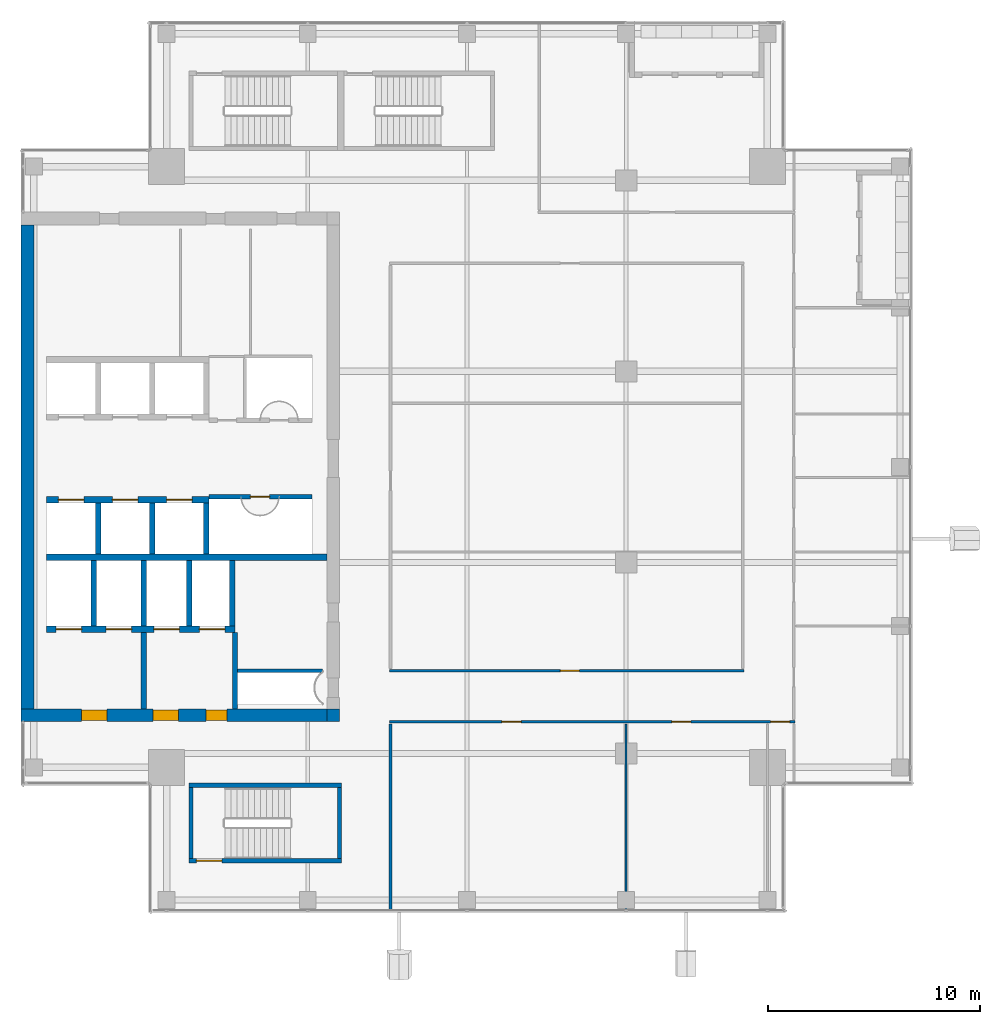
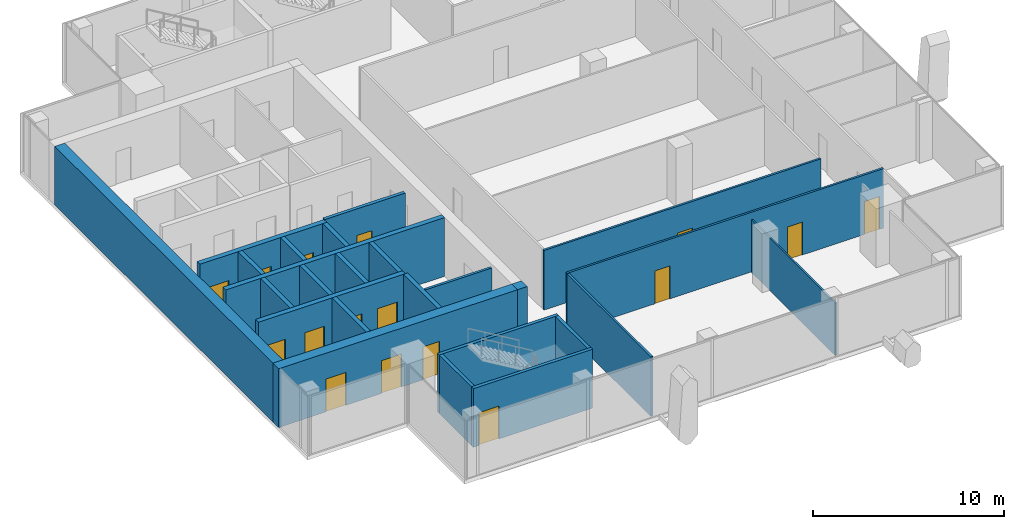
# One storey, part 23 of 28: 25 walls, 16 doors, 16 openings.
"""IFC4 building model written with IfcOpenShell, lengths in metres."""

import ifcopenshell
import ifcopenshell.guid

model = None  # the IFC model being written
_history = None  # IfcOwnerHistory: only IFC2X3 demands one
_inside = {}  # id of a spatial element -> (the spatial element, [elements in it])
_under = {}  # id of a project, library or spatial element -> (it, [spatial elements below it])
_declared = {}  # id of a project -> (the project, [libraries it declares])
_typed = {}  # id of a type object -> (the type object, [elements of that type])
_made_of = {}  # id of a material, layer set ... -> (it, [elements and type objects made of it])


def new_model(schema):
    """Start an empty IFC model of exactly this schema.

    Asked for "IFC4X3", IfcOpenShell would pick the latest addendum, in which some entities
    have other attributes; the version numbers below select the first issue.
    IFC2X3 requires an IfcOwnerHistory on every rooted entity: one is made here for all.
    """
    global model, _history
    if schema == "IFC4X3":
        model = ifcopenshell.file(schema_version=(4, 3, 0, 0))
    else:
        model = ifcopenshell.file(schema=schema)
    _inside.clear()
    _under.clear()
    _declared.clear()
    _typed.clear()
    _made_of.clear()
    _history = None
    if model.schema == "IFC2X3":
        org = make("IfcOrganization", Name="unknown")
        user = make(
            "IfcPersonAndOrganization",
            ThePerson=make("IfcPerson", FamilyName="unknown"),
            TheOrganization=org,
        )
        app = make(
            "IfcApplication",
            ApplicationDeveloper=org,
            Version="unknown",
            ApplicationFullName="unknown",
            ApplicationIdentifier="unknown",
        )
        _history = make(
            "IfcOwnerHistory",
            OwningUser=user,
            OwningApplication=app,
            ChangeAction="ADDED",
            CreationDate=0,
        )
    return model


def make(cls, **values):
    """One entity of the class cls with the attributes given. An attribute that is None is left unset."""
    return model.create_entity(
        cls, **{name: value for name, value in values.items() if value is not None}
    )


def rooted(cls, **values):
    """An entity with a GlobalId (a new one), such as an element, a storey or a relation."""
    return make(cls, GlobalId=ifcopenshell.guid.new(), OwnerHistory=_history, **values)


def si_unit(unit_type, name, prefix=None):
    """IfcSIUnit, for example si_unit("LENGTHUNIT", "METRE", prefix="MILLI")."""
    return make("IfcSIUnit", UnitType=unit_type, Prefix=prefix, Name=name)


def assignment(units):
    """IfcUnitAssignment: the units of a project."""
    return None if units is None else make("IfcUnitAssignment", Units=units)


def point(xyz):
    """IfcCartesianPoint."""
    return None if xyz is None else make("IfcCartesianPoint", Coordinates=xyz)


def direction(xyz):
    """IfcDirection."""
    return None if xyz is None else make("IfcDirection", DirectionRatios=xyz)


def frame(location, z_axis=None, x_axis=None):
    """IfcAxis2Placement3D, a coordinate frame: its origin and axes. An axis left out is left unset."""
    return make(
        "IfcAxis2Placement3D",
        Location=point(location),
        Axis=direction(z_axis),
        RefDirection=direction(x_axis),
    )


def frame_2d(location, x_axis=None):
    """IfcAxis2Placement2D, a coordinate frame in the plane: its origin and x axis."""
    return make(
        "IfcAxis2Placement2D", Location=point(location), RefDirection=direction(x_axis)
    )


def origin():
    """The frame at (0, 0, 0) with its axes left unset."""
    return frame((0.0, 0.0, 0.0))


def place(relative_to, where):
    """IfcLocalPlacement: puts the frame where relative to a parent placement (None: the world)."""
    return make(
        "IfcLocalPlacement", PlacementRelTo=relative_to, RelativePlacement=where
    )


def context(
    kind, dimensions, precision=None, world=None, true_north=None, identifier=None
):
    """IfcGeometricRepresentationContext, for example the 3D "Model" context."""
    return make(
        "IfcGeometricRepresentationContext",
        ContextIdentifier=identifier,
        ContextType=kind,
        CoordinateSpaceDimension=dimensions,
        Precision=precision,
        WorldCoordinateSystem=world,
        TrueNorth=true_north,
    )


def subcontext(parent, identifier, kind, view, scale=None):
    """IfcGeometricRepresentationSubContext, for example "Body" below "Model"."""
    return make(
        "IfcGeometricRepresentationSubContext",
        ContextIdentifier=identifier,
        ContextType=kind,
        ParentContext=parent,
        TargetScale=scale,
        TargetView=view,
    )


def project(units=None, contexts=None):
    """IfcProject with its units and contexts."""
    return rooted(
        "IfcProject",
        Name="project",
        RepresentationContexts=contexts,
        UnitsInContext=assignment(units),
    )


def spatial(cls, under=None, at=None, **own):
    """A site, building, storey or space (cls), placed at a placement, below another one or the project."""
    s = rooted(cls, ObjectPlacement=at, **own)
    if under is not None:
        _under.setdefault(under.id(), (under, []))[1].append(s)
    return s


def profile(cls, at=None, kind="AREA", **sizes):
    """A parametric profile (cls). Its sizes go by their IFC names, for example OverallWidth=200.0."""
    return make(cls, ProfileType=kind, Position=at, **sizes)


def rectangle(**sizes):
    """IfcRectangleProfileDef."""
    return profile("IfcRectangleProfileDef", **sizes)


def extrude(swept, where, along, depth):
    """IfcExtrudedAreaSolid: the profile swept, set in the frame where, extruded along a direction by depth."""
    return make(
        "IfcExtrudedAreaSolid",
        SweptArea=swept,
        Position=where,
        ExtrudedDirection=direction(along),
        Depth=depth,
    )


def shape(context_of_items, identifier, shape_type, items):
    """IfcShapeRepresentation: the items that make up one representation, for example the "Body"."""
    return make(
        "IfcShapeRepresentation",
        ContextOfItems=context_of_items,
        RepresentationIdentifier=identifier,
        RepresentationType=shape_type,
        Items=items,
    )


def source(mapping_origin, context_of_items, identifier, shape_type, items):
    """IfcRepresentationMap: a shape defined once, which mapped items show again and again."""
    return make(
        "IfcRepresentationMap",
        MappingOrigin=mapping_origin,
        MappedRepresentation=shape(context_of_items, identifier, shape_type, items),
    )


def transform(
    local_origin,
    x_axis=None,
    y_axis=None,
    z_axis=None,
    scale=None,
    scale2=None,
    scale3=None,
    uniform=True,
):
    """IfcCartesianTransformationOperator3D, or its non-uniform kind. x_axis, y_axis, z_axis: its Axis1, 2, 3."""
    if uniform:
        return make(
            "IfcCartesianTransformationOperator3D",
            Axis1=direction(x_axis),
            Axis2=direction(y_axis),
            LocalOrigin=point(local_origin),
            Scale=scale,
            Axis3=direction(z_axis),
        )
    return make(
        "IfcCartesianTransformationOperator3DnonUniform",
        Axis1=direction(x_axis),
        Axis2=direction(y_axis),
        LocalOrigin=point(local_origin),
        Scale=scale,
        Axis3=direction(z_axis),
        Scale2=scale2,
        Scale3=scale3,
    )


def mapped(mapping_source, mapping_target):
    """IfcMappedItem: shows the shape of a source again, moved by a transform."""
    return make(
        "IfcMappedItem", MappingSource=mapping_source, MappingTarget=mapping_target
    )


def material(Name=None, Category=None):
    """IfcMaterial."""
    return make("IfcMaterial", Name=Name, Category=Category)


def layer(
    of_material, thickness, ventilated=None, Name=None, Category=None, Priority=None
):
    """IfcMaterialLayer: one layer of a wall or slab, of a material (None: an air gap)."""
    return make(
        "IfcMaterialLayer",
        Material=of_material,
        LayerThickness=thickness,
        IsVentilated=ventilated,
        Name=Name,
        Category=Category,
        Priority=Priority,
    )


def layer_set(layers, Name=None):
    """IfcMaterialLayerSet."""
    return make("IfcMaterialLayerSet", MaterialLayers=layers, LayerSetName=Name)


def made_of(thing, what):
    """Note that an element or type object is made of a material, layer set ...; save() writes the relation."""
    if what is not None:
        _made_of.setdefault(what.id(), (what, []))[1].append(thing)
    return thing


def type_object(cls, material=None, **own):
    """A type object (cls), such as IfcWallType, which elements share."""
    return made_of(rooted(cls, **own), material)


def element(
    cls,
    number,
    at=None,
    inside=None,
    cuts=None,
    type_object=None,
    material=None,
    context=None,
    identifier="Body",
    shape_type=None,
    held_by="IfcProductDefinitionShape",
    body=None,
    shapes=None,
    **own,
):
    """One element of the class cls, such as IfcWall. Its Tag is "e" and its number.

    at: its placement. inside: the storey or other place that contains it. cuts: it is an
    opening in that element (IfcRelVoidsElement). A single representation is given by context,
    identifier, shape_type and body (its items); several are given by shapes. held_by: the class
    of the entity that holds the representations. save() writes the other relations.
    """
    e = rooted(cls, Tag="e%d" % number, ObjectPlacement=at, **own)
    if body is not None:
        shapes = [shape(context, identifier, shape_type, body)]
    if shapes is not None:
        e.Representation = make(held_by, Representations=shapes)
    if inside is not None:
        _inside.setdefault(inside.id(), (inside, []))[1].append(e)
    if cuts is not None:
        rooted(
            "IfcRelVoidsElement", RelatingBuildingElement=cuts, RelatedOpeningElement=e
        )
    if type_object is not None:
        _typed.setdefault(type_object.id(), (type_object, []))[1].append(e)
    return made_of(e, material)


def fill(opening, filler):
    """IfcRelFillsElement: the door or window that sits in an opening."""
    return rooted(
        "IfcRelFillsElement",
        RelatingOpeningElement=opening,
        RelatedBuildingElement=filler,
    )


def aggregate(whole, parts):
    """IfcRelAggregates: a whole, such as a stair, and the parts it consists of."""
    return rooted("IfcRelAggregates", RelatingObject=whole, RelatedObjects=parts)


def save(model, path):
    """Write the relations noted so far, then the file.

    IfcRelAggregates (storeys below a building ...), IfcRelContainedInSpatialStructure (elements
    in a storey), IfcRelDefinesByType, IfcRelAssociatesMaterial and IfcRelDeclares: one each for
    every whole, place, type object, material and project.
    """
    for whole, parts in _under.values():
        aggregate(whole, parts)
    for where, things in _inside.values():
        rooted(
            "IfcRelContainedInSpatialStructure",
            RelatedElements=things,
            RelatingStructure=where,
        )
    for kind, things in _typed.values():
        rooted("IfcRelDefinesByType", RelatedObjects=things, RelatingType=kind)
    for what, things in _made_of.values():
        rooted("IfcRelAssociatesMaterial", RelatedObjects=things, RelatingMaterial=what)
    for by, libraries in _declared.values():
        rooted("IfcRelDeclares", RelatingContext=by, RelatedDefinitions=libraries)
    model.write(path)


model = new_model("IFC4")

# Units and contexts
model_context = context("Model", 3, precision=1e-05, world=origin(), true_north=direction((0.0, 1.0)))
body_context = subcontext(model_context, "Body", "Model", "MODEL_VIEW")
ifc_project = project(units=[si_unit("LENGTHUNIT", "METRE"), si_unit("AREAUNIT", "SQUARE_METRE"), si_unit("VOLUMEUNIT", "CUBIC_METRE"), si_unit("PLANEANGLEUNIT", "RADIAN"), si_unit("MASSUNIT", "GRAM", prefix="KILO")], contexts=[model_context])

# Site, building, storey
site_placement = place(None, origin())
site = spatial("IfcSite", under=ifc_project, at=site_placement, CompositionType="ELEMENT")
building_placement = place(site_placement, origin())
building = spatial("IfcBuilding", under=site, at=building_placement, Name="Khomas Fold Tower", CompositionType="ELEMENT")
storey_placement = place(building_placement, frame((0.0, 0.0, 298.199951171875)))
storey = spatial("IfcBuildingStorey", under=building, at=storey_placement, Name="L67", CompositionType="ELEMENT", Elevation=298.199951171875)

# Wall
ifc_material_1 = material(Name="Concrete C50/60", Category="concrete")
ifc_layer_1 = layer(ifc_material_1, 0.199951171875)
ifc_layer_set_1 = layer_set([ifc_layer_1], Name="Concrete C50/60")
wall_type_1 = type_object("IfcWallType", Name="Stair wall 200", PredefinedType="SHEAR", material=ifc_layer_set_1)
shared_shape_1 = source(origin(), body_context, "Body", "SweptSolid", [
    extrude(rectangle(XDim=7.2001953125, YDim=0.199951171875, at=frame_2d((3.60009765625, 0.0))), origin(), (0.0, 0.0, 1.0), 3.75),
])
wall_1_placement = place(storey_placement, frame((13.89990234375, 12.0, 0.0), z_axis=(0.0, 0.0, 1.0), x_axis=(1.0, 0.0, 0.0)))
element("IfcWall", 1, at=wall_1_placement, inside=storey, type_object=wall_type_1, Name="Stair wall SW-ST2-NH", PredefinedType="SHEAR", context=body_context, shape_type="MappedRepresentation", body=[
    mapped(shared_shape_1, transform((0.0, 0.0, 0.0))),
])

# Wall, opening, door
wall_2_placement = place(storey_placement, frame((13.89990234375, 8.449951171875, 0.0), z_axis=(0.0, 0.0, 1.0), x_axis=(1.0, 0.0, 0.0)))
wall_2 = element("IfcWall", 2, at=wall_2_placement, inside=storey, type_object=wall_type_1, Name="Stair wall SW-ST2-S", PredefinedType="SHEAR", context=body_context, shape_type="MappedRepresentation", body=[
    mapped(shared_shape_1, transform((0.0, 0.0, 0.0))),
])
shared_shape_2 = source(origin(), body_context, "Body", "SweptSolid", [
    extrude(rectangle(XDim=1.199951171875, YDim=2.10009765625, at=frame_2d((0.60009765625, 1.050048828125))), frame((0.0, 0.10986328125, 0.0), z_axis=(0.0, -1.0, 0.0), x_axis=(1.0, 0.0, 0.0)), (0.0, 0.0, 1.0), 0.219970703125),
])
opening_1_placement = place(wall_2_placement, frame((0.35009765625, 0.0, 0.0)))
opening_1 = element("IfcOpeningElement", 3, at=opening_1_placement, cuts=wall_2, Name="Opening SD-ST2", PredefinedType="OPENING", context=body_context, shape_type="MappedRepresentation", body=[
    mapped(shared_shape_2, transform((0.0, 0.0, 0.0))),
])
ifc_material_2 = material(Name="Steel door leaf", Category="steel")
door_type_1 = type_object("IfcDoorType", Name="Stair door 1200x2100 right-hand", OperationType="SINGLE_SWING_RIGHT", PredefinedType="DOOR", material=ifc_material_2)
shared_shape_3 = source(origin(), body_context, "Body", "SweptSolid", [
    extrude(rectangle(XDim=1.199951171875, YDim=2.10009765625, at=frame_2d((0.60009765625, 1.050048828125))), frame((0.0, 0.02490234375, 0.0), z_axis=(0.0, -1.0, 0.0), x_axis=(1.0, 0.0, 0.0)), (0.0, 0.0, 1.0), 0.050048828125),
])
door_1_placement = place(opening_1_placement, origin())
door_1 = element("IfcDoor", 4, at=door_1_placement, inside=storey, type_object=door_type_1, Name="Stair door", OperationType="SINGLE_SWING_RIGHT", OverallHeight=2.10009765625, OverallWidth=1.199951171875, PredefinedType="DOOR", context=body_context, shape_type="MappedRepresentation", body=[
    mapped(shared_shape_3, transform((0.0, 0.0, 0.0))),
])
fill(opening_1, door_1)

# Walls
shared_shape_4 = source(origin(), body_context, "Body", "SweptSolid", [
    extrude(rectangle(XDim=3.349853515625, YDim=0.199951171875, at=frame_2d((1.6748046875, 0.0))), origin(), (0.0, 0.0, 1.0), 3.75),
])
for number, where, z_axis, x_axis, name in (
    (5, (21.0, 8.550048828125, 0.0), (0.0, 0.0, 1.0), (0.0, 1.0, 0.0), "Stair wall SW-ST2-E"),
    (6, (14.0, 8.550048828125, 0.0), (0.0, 0.0, 1.0), (0.0, 1.0, 0.0), "Stair wall SW-ST2-W"),
):
    element("IfcWall", number, at=place(storey_placement, frame(where, z_axis=z_axis, x_axis=x_axis)), inside=storey, type_object=wall_type_1, Name=name, PredefinedType="SHEAR", context=body_context, shape_type="MappedRepresentation", body=[
        mapped(shared_shape_4, transform((0.0, 0.0, 0.0))),
    ])
ifc_material_3 = material(Name="Concrete C50/60", Category="concrete")
ifc_layer_2 = layer(ifc_material_3, 0.25)
ifc_layer_set_2 = layer_set([ifc_layer_2], Name="Concrete C50/60")
wall_type_2 = type_object("IfcWallType", Name="Shaft wall 250", PredefinedType="STANDARD", material=ifc_layer_set_2)
shared_shape_5 = source(origin(), body_context, "Body", "SweptSolid", [
    extrude(rectangle(XDim=3.10009765625, YDim=0.25, at=frame_2d((1.550048828125, 0.0))), origin(), (0.0, 0.0, 1.0), 3.75),
])
for number, where, z_axis, x_axis, name in (
    (7, (9.425048828125, 19.5, 0.0), (0.0, 0.0, 1.0), (0.0, 1.0, 0.0), "Core wall SW-FS-P1"),
    (8, (11.77490234375, 19.5, 0.0), (0.0, 0.0, 1.0), (0.0, 1.0, 0.0), "Core wall SW-FS-P2"),
    (9, (13.925048828125, 19.5, 0.0), (0.0, 0.0, 1.0), (0.0, 1.0, 0.0), "Core wall SW-FS-P3"),
    (10, (15.949951171875, 19.5, 0.0), (0.0, 0.0, 1.0), (0.0, 1.0, 0.0), "Core wall SW-FS-PE"),
):
    element("IfcWall", number, at=place(storey_placement, frame(where, z_axis=z_axis, x_axis=x_axis)), inside=storey, type_object=wall_type_2, Name=name, PredefinedType="STANDARD", context=body_context, shape_type="MappedRepresentation", body=[
        mapped(shared_shape_5, transform((0.0, 0.0, 0.0))),
    ])
shared_shape_6 = source(origin(), body_context, "Body", "SweptSolid", [
    extrude(rectangle(XDim=2.400146484375, YDim=0.25, at=frame_2d((1.2001953125, 0.0))), origin(), (0.0, 0.0, 1.0), 3.75),
])
for number, where, z_axis, x_axis, name in (
    (11, (9.625, 22.89990234375, 0.0), (0.0, 0.0, 1.0), (0.0, 1.0, 0.0), "Core wall SW-HRS-P1"),
    (12, (12.175048828125, 22.89990234375, 0.0), (0.0, 0.0, 1.0), (0.0, 1.0, 0.0), "Core wall SW-HRS-P2"),
    (13, (14.72509765625, 22.89990234375, 0.0), (0.0, 0.0, 1.0), (0.0, 1.0, 0.0), "Core wall SW-HRS-PE"),
):
    element("IfcWall", number, at=place(storey_placement, frame(where, z_axis=z_axis, x_axis=x_axis)), inside=storey, type_object=wall_type_2, Name=name, PredefinedType="STANDARD", context=body_context, shape_type="MappedRepresentation", body=[
        mapped(shared_shape_6, transform((0.0, 0.0, 0.0))),
    ])

# Wall, openings, doors
ifc_material_4 = material(Name="Concrete C50/60", Category="concrete")
ifc_layer_3 = layer(ifc_material_4, 0.60009765625)
ifc_layer_set_3 = layer_set([ifc_layer_3], Name="Concrete C50/60")
wall_type_3 = type_object("IfcWallType", Name="Core wall 600", PredefinedType="SHEAR", material=ifc_layer_set_3)
shared_shape_7 = source(origin(), body_context, "Body", "SweptSolid", [
    extrude(rectangle(XDim=14.39990234375, YDim=0.60009765625, at=frame_2d((7.199951171875, 0.0))), origin(), (0.0, 0.0, 1.0), 3.75),
])
wall_3_placement = place(storey_placement, frame((6.0, 15.300048828125, 0.0), z_axis=(0.0, 0.0, 1.0), x_axis=(1.0, 0.0, 0.0)))
wall_3 = element("IfcWall", 14, at=wall_3_placement, inside=storey, type_object=wall_type_3, Name="Core wall CW-U-S-L63", PredefinedType="SHEAR", context=body_context, shape_type="MappedRepresentation", body=[
    mapped(shared_shape_7, transform((0.0, 0.0, 0.0))),
])
shared_shape_8 = source(origin(), body_context, "Body", "SweptSolid", [
    extrude(rectangle(XDim=1.199951171875, YDim=2.10009765625, at=frame_2d((0.60009765625, 1.050048828125))), frame((0.0, 0.31005859375, 0.0), z_axis=(0.0, -1.0, 0.0), x_axis=(1.0, 0.0, 0.0)), (0.0, 0.0, 1.0), 0.6201171875),
])
opening_2_placement = place(wall_3_placement, frame((6.199951171875, 0.0, 0.0)))
opening_2 = element("IfcOpeningElement", 15, at=opening_2_placement, cuts=wall_3, Name="Opening 0009", PredefinedType="OPENING", context=body_context, shape_type="MappedRepresentation", body=[
    mapped(shared_shape_8, transform((0.0, 0.0, 0.0))),
])
opening_3_placement = place(wall_3_placement, frame((2.85009765625, 0.0, 0.0)))
opening_3 = element("IfcOpeningElement", 16, at=opening_3_placement, cuts=wall_3, Name="Opening 0009", PredefinedType="OPENING", context=body_context, shape_type="MappedRepresentation", body=[
    mapped(shared_shape_8, transform((0.0, 0.0, 0.0))),
])
shared_shape_9 = source(origin(), body_context, "Body", "SweptSolid", [
    extrude(rectangle(XDim=1.0, YDim=2.10009765625, at=frame_2d((0.5, 1.050048828125))), frame((0.0, 0.31005859375, 0.0), z_axis=(0.0, -1.0, 0.0), x_axis=(1.0, 0.0, 0.0)), (0.0, 0.0, 1.0), 0.6201171875),
])
opening_4_placement = place(wall_3_placement, frame((8.699951171875, 0.0, 0.0)))
opening_4 = element("IfcOpeningElement", 17, at=opening_4_placement, cuts=wall_3, Name="Opening 0010", PredefinedType="OPENING", context=body_context, shape_type="MappedRepresentation", body=[
    mapped(shared_shape_9, transform((0.0, 0.0, 0.0))),
])
ifc_material_5 = material(Name="Steel door leaf", Category="steel")
door_type_2 = type_object("IfcDoorType", Name="Stair door 1000x2100 right-hand", OperationType="SINGLE_SWING_RIGHT", PredefinedType="DOOR", material=ifc_material_5)
shared_shape_10 = source(origin(), body_context, "Body", "SweptSolid", [
    extrude(rectangle(XDim=1.0, YDim=2.10009765625, at=frame_2d((0.5, 1.050048828125))), frame((0.0, 0.25, 0.0), z_axis=(0.0, -1.0, 0.0), x_axis=(1.0, 0.0, 0.0)), (0.0, 0.0, 1.0), 0.5),
])
door_2_placement = place(opening_4_placement, origin())
door_2 = element("IfcDoor", 18, at=door_2_placement, inside=storey, type_object=door_type_2, Name="Stair door", OperationType="SINGLE_SWING_RIGHT", OverallHeight=2.10009765625, OverallWidth=1.0, PredefinedType="DOOR", context=body_context, shape_type="MappedRepresentation", body=[
    mapped(shared_shape_10, transform((0.0, 0.0, 0.0))),
])
fill(opening_4, door_2)
ifc_material_6 = material(Name="Steel door leaf", Category="steel")
door_type_3 = type_object("IfcDoorType", Name="Lobby door 1200x2100 right-hand", OperationType="SINGLE_SWING_RIGHT", PredefinedType="DOOR", material=ifc_material_6)
shared_shape_11 = source(origin(), body_context, "Body", "SweptSolid", [
    extrude(rectangle(XDim=1.199951171875, YDim=2.10009765625, at=frame_2d((0.60009765625, 1.050048828125))), frame((0.0, 0.25, 0.0), z_axis=(0.0, -1.0, 0.0), x_axis=(1.0, 0.0, 0.0)), (0.0, 0.0, 1.0), 0.5),
])
door_3_placement = place(opening_2_placement, origin())
door_3 = element("IfcDoor", 19, at=door_3_placement, inside=storey, type_object=door_type_3, Name="Lobby door", OperationType="SINGLE_SWING_RIGHT", OverallHeight=2.10009765625, OverallWidth=1.199951171875, PredefinedType="DOOR", context=body_context, shape_type="MappedRepresentation", body=[
    mapped(shared_shape_11, transform((0.0, 0.0, 0.0))),
])
fill(opening_2, door_3)
door_4_placement = place(opening_3_placement, origin())
door_4 = element("IfcDoor", 20, at=door_4_placement, inside=storey, type_object=door_type_3, Name="Lobby door", OperationType="SINGLE_SWING_RIGHT", OverallHeight=2.10009765625, OverallWidth=1.199951171875, PredefinedType="DOOR", context=body_context, shape_type="MappedRepresentation", body=[
    mapped(shared_shape_11, transform((0.0, 0.0, 0.0))),
])
fill(opening_3, door_4)

# Walls
ifc_material_7 = material(Name="Concrete C50/60", Category="concrete")
ifc_layer_4 = layer(ifc_material_7, 0.60009765625)
ifc_layer_set_4 = layer_set([ifc_layer_4], Name="Concrete C50/60")
wall_type_4 = type_object("IfcWallType", Name="Core corner wall 600", PredefinedType="SHEAR", material=ifc_layer_set_4)
shared_shape_12 = source(origin(), body_context, "Body", "SweptSolid", [
    extrude(rectangle(XDim=0.60009765625, YDim=0.60009765625, at=frame_2d((0.300048828125, 0.0))), origin(), (0.0, 0.0, 1.0), 3.75),
])
wall_4_placement = place(storey_placement, frame((20.39990234375, 15.300048828125, 0.0), z_axis=(0.0, 0.0, 1.0), x_axis=(1.0, 0.0, 0.0)))
element("IfcWall", 21, at=wall_4_placement, inside=storey, type_object=wall_type_4, Name="Core wall CW-U-SE-L63", PredefinedType="SHEAR", context=body_context, shape_type="MappedRepresentation", body=[
    mapped(shared_shape_12, transform((0.0, 0.0, 0.0))),
])
shared_shape_13 = source(origin(), body_context, "Body", "SweptSolid", [
    extrude(rectangle(XDim=22.7998046875, YDim=0.60009765625, at=frame_2d((11.39990234375, 0.0))), origin(), (0.0, 0.0, 1.0), 3.75),
])
wall_5_placement = place(storey_placement, frame((6.300048828125, 15.60009765625, 0.0), z_axis=(0.0, 0.0, 1.0), x_axis=(0.0, 1.0, 0.0)))
element("IfcWall", 22, at=wall_5_placement, inside=storey, type_object=wall_type_3, Name="Core wall CW-U-W-L63", PredefinedType="SHEAR", context=body_context, shape_type="MappedRepresentation", body=[
    mapped(shared_shape_13, transform((0.0, 0.0, 0.0))),
])
ifc_material_8 = material(Name="Concrete C50/60", Category="concrete")
ifc_layer_5 = layer(ifc_material_8, 0.300048828125)
ifc_layer_set_5 = layer_set([ifc_layer_5], Name="Concrete C50/60")
wall_type_5 = type_object("IfcWallType", Name="Shaft wall 300", PredefinedType="STANDARD", material=ifc_layer_set_5)
shared_shape_14 = source(origin(), body_context, "Body", "SweptSolid", [
    extrude(rectangle(XDim=13.199951171875, YDim=0.300048828125, at=frame_2d((6.60009765625, 0.0))), origin(), (0.0, 0.0, 1.0), 3.75),
])
wall_6_placement = place(storey_placement, frame((7.199951171875, 22.75, 0.0), z_axis=(0.0, 0.0, 1.0), x_axis=(1.0, 0.0, 0.0)))
element("IfcWall", 23, at=wall_6_placement, inside=storey, type_object=wall_type_5, Name="Core wall SW-FS-B", PredefinedType="STANDARD", context=body_context, shape_type="MappedRepresentation", body=[
    mapped(shared_shape_14, transform((0.0, 0.0, 0.0))),
])

# Wall, openings, doors
shared_shape_15 = source(origin(), body_context, "Body", "SweptSolid", [
    extrude(rectangle(XDim=8.875, YDim=0.300048828125, at=frame_2d((4.4375, 0.0))), origin(), (0.0, 0.0, 1.0), 3.75),
])
wall_7_placement = place(storey_placement, frame((7.199951171875, 19.35009765625, 0.0), z_axis=(0.0, 0.0, 1.0), x_axis=(1.0, 0.0, 0.0)))
wall_7 = element("IfcWall", 24, at=wall_7_placement, inside=storey, type_object=wall_type_5, Name="Core wall SW-FS-F", PredefinedType="STANDARD", context=body_context, shape_type="MappedRepresentation", body=[
    mapped(shared_shape_15, transform((0.0, 0.0, 0.0))),
])
shared_shape_16 = source(origin(), body_context, "Body", "SweptSolid", [
    extrude(rectangle(XDim=1.199951171875, YDim=2.10009765625, at=frame_2d((0.60009765625, 1.050048828125))), frame((0.0, 0.159912109375, 0.0), z_axis=(0.0, -1.0, 0.0), x_axis=(1.0, 0.0, 0.0)), (0.0, 0.0, 1.0), 0.320068359375),
])
opening_5_placement = place(wall_7_placement, frame((0.449951171875, 0.0, 0.0)))
opening_5 = element("IfcOpeningElement", 25, at=opening_5_placement, cuts=wall_7, Name="Opening LD-SV1", PredefinedType="OPENING", context=body_context, shape_type="MappedRepresentation", body=[
    mapped(shared_shape_16, transform((0.0, 0.0, 0.0))),
])
opening_6_placement = place(wall_7_placement, frame((2.800048828125, 0.0, 0.0)))
opening_6 = element("IfcOpeningElement", 26, at=opening_6_placement, cuts=wall_7, Name="Opening LD-SV2", PredefinedType="OPENING", context=body_context, shape_type="MappedRepresentation", body=[
    mapped(shared_shape_16, transform((0.0, 0.0, 0.0))),
])
opening_7_placement = place(wall_7_placement, frame((5.050048828125, 0.0, 0.0)))
opening_7 = element("IfcOpeningElement", 27, at=opening_7_placement, cuts=wall_7, Name="Opening LD-FF1", PredefinedType="OPENING", context=body_context, shape_type="MappedRepresentation", body=[
    mapped(shared_shape_16, transform((0.0, 0.0, 0.0))),
])
opening_8_placement = place(wall_7_placement, frame((7.199951171875, 0.0, 0.0)))
opening_8 = element("IfcOpeningElement", 28, at=opening_8_placement, cuts=wall_7, Name="Opening LD-FF2", PredefinedType="OPENING", context=body_context, shape_type="MappedRepresentation", body=[
    mapped(shared_shape_16, transform((0.0, 0.0, 0.0))),
])
ifc_material_9 = material(Name="Steel door leaf", Category="steel")
door_type_4 = type_object("IfcDoorType", Name="Landing door 1200x2100", OperationType="DOUBLE_DOOR_SLIDING", PredefinedType="DOOR", material=ifc_material_9)
door_5_placement = place(opening_5_placement, origin())
door_5 = element("IfcDoor", 29, at=door_5_placement, inside=storey, type_object=door_type_4, Name="Lift landing door", OperationType="DOUBLE_DOOR_SLIDING", OverallHeight=2.10009765625, OverallWidth=1.199951171875, PredefinedType="DOOR", context=body_context, shape_type="MappedRepresentation", body=[
    mapped(shared_shape_3, transform((0.0, 0.0, 0.0))),
])
fill(opening_5, door_5)
door_6_placement = place(opening_6_placement, origin())
door_6 = element("IfcDoor", 30, at=door_6_placement, inside=storey, type_object=door_type_4, Name="Lift landing door", OperationType="DOUBLE_DOOR_SLIDING", OverallHeight=2.10009765625, OverallWidth=1.199951171875, PredefinedType="DOOR", context=body_context, shape_type="MappedRepresentation", body=[
    mapped(shared_shape_3, transform((0.0, 0.0, 0.0))),
])
fill(opening_6, door_6)
door_7_placement = place(opening_7_placement, origin())
door_7 = element("IfcDoor", 31, at=door_7_placement, inside=storey, type_object=door_type_4, Name="Lift landing door", OperationType="DOUBLE_DOOR_SLIDING", OverallHeight=2.10009765625, OverallWidth=1.199951171875, PredefinedType="DOOR", context=body_context, shape_type="MappedRepresentation", body=[
    mapped(shared_shape_3, transform((0.0, 0.0, 0.0))),
])
fill(opening_7, door_7)
door_8_placement = place(opening_8_placement, origin())
door_8 = element("IfcDoor", 32, at=door_8_placement, inside=storey, type_object=door_type_4, Name="Lift landing door", OperationType="DOUBLE_DOOR_SLIDING", OverallHeight=2.10009765625, OverallWidth=1.199951171875, PredefinedType="DOOR", context=body_context, shape_type="MappedRepresentation", body=[
    mapped(shared_shape_3, transform((0.0, 0.0, 0.0))),
])
fill(opening_8, door_8)

shared_shape_17 = source(origin(), body_context, "Body", "SweptSolid", [
    extrude(rectangle(XDim=7.650146484375, YDim=0.300048828125, at=frame_2d((3.8251953125, 0.0))), origin(), (0.0, 0.0, 1.0), 3.75),
])
wall_8_placement = place(storey_placement, frame((7.199951171875, 25.449951171875, 0.0), z_axis=(0.0, 0.0, 1.0), x_axis=(1.0, 0.0, 0.0)))
wall_8 = element("IfcWall", 33, at=wall_8_placement, inside=storey, type_object=wall_type_5, Name="Core wall SW-HRS-F", PredefinedType="STANDARD", context=body_context, shape_type="MappedRepresentation", body=[
    mapped(shared_shape_17, transform((0.0, 0.0, 0.0))),
])
opening_9_placement = place(wall_8_placement, frame((0.550048828125, 0.0, 0.0)))
opening_9 = element("IfcOpeningElement", 34, at=opening_9_placement, cuts=wall_8, Name="Opening LD-HR1", PredefinedType="OPENING", context=body_context, shape_type="MappedRepresentation", body=[
    mapped(shared_shape_16, transform((0.0, 0.0, 0.0))),
])
opening_10_placement = place(wall_8_placement, frame((3.10009765625, 0.0, 0.0)))
opening_10 = element("IfcOpeningElement", 35, at=opening_10_placement, cuts=wall_8, Name="Opening LD-HR2", PredefinedType="OPENING", context=body_context, shape_type="MappedRepresentation", body=[
    mapped(shared_shape_16, transform((0.0, 0.0, 0.0))),
])
opening_11_placement = place(wall_8_placement, frame((5.64990234375, 0.0, 0.0)))
opening_11 = element("IfcOpeningElement", 36, at=opening_11_placement, cuts=wall_8, Name="Opening LD-HR3", PredefinedType="OPENING", context=body_context, shape_type="MappedRepresentation", body=[
    mapped(shared_shape_16, transform((0.0, 0.0, 0.0))),
])
door_9_placement = place(opening_9_placement, origin())
door_9 = element("IfcDoor", 37, at=door_9_placement, inside=storey, type_object=door_type_4, Name="Lift landing door", OperationType="DOUBLE_DOOR_SLIDING", OverallHeight=2.10009765625, OverallWidth=1.199951171875, PredefinedType="DOOR", context=body_context, shape_type="MappedRepresentation", body=[
    mapped(shared_shape_3, transform((0.0, 0.0, 0.0))),
])
fill(opening_9, door_9)
door_10_placement = place(opening_10_placement, origin())
door_10 = element("IfcDoor", 38, at=door_10_placement, inside=storey, type_object=door_type_4, Name="Lift landing door", OperationType="DOUBLE_DOOR_SLIDING", OverallHeight=2.10009765625, OverallWidth=1.199951171875, PredefinedType="DOOR", context=body_context, shape_type="MappedRepresentation", body=[
    mapped(shared_shape_3, transform((0.0, 0.0, 0.0))),
])
fill(opening_10, door_10)
door_11_placement = place(opening_11_placement, origin())
door_11 = element("IfcDoor", 39, at=door_11_placement, inside=storey, type_object=door_type_4, Name="Lift landing door", OperationType="DOUBLE_DOOR_SLIDING", OverallHeight=2.10009765625, OverallWidth=1.199951171875, PredefinedType="DOOR", context=body_context, shape_type="MappedRepresentation", body=[
    mapped(shared_shape_3, transform((0.0, 0.0, 0.0))),
])
fill(opening_11, door_11)

# Walls
ifc_material_10 = material(Name="Concrete C50/60", Category="concrete")
ifc_layer_6 = layer(ifc_material_10, 0.25)
ifc_layer_set_6 = layer_set([ifc_layer_6], Name="Concrete C50/60")
wall_type_6 = type_object("IfcWallType", Name="Lobby wall 250", PredefinedType="STANDARD", material=ifc_layer_set_6)
shared_shape_18 = source(origin(), body_context, "Body", "SweptSolid", [
    extrude(rectangle(XDim=3.599853515625, YDim=0.25, at=frame_2d((1.7998046875, 0.0))), origin(), (0.0, 0.0, 1.0), 3.75),
])
for number, where, z_axis, x_axis, name in (
    (40, (16.074951171875, 15.60009765625, 0.0), (0.0, 0.0, 1.0), (0.0, 1.0, 0.0), "Core wall SW-FS-LOB-E"),
    (41, (11.77490234375, 15.60009765625, 0.0), (0.0, 0.0, 1.0), (0.0, 1.0, 0.0), "Core wall SW-FS-SEP"),
):
    element("IfcWall", number, at=place(storey_placement, frame(where, z_axis=z_axis, x_axis=x_axis)), inside=storey, type_object=wall_type_6, Name=name, PredefinedType="STANDARD", context=body_context, shape_type="MappedRepresentation", body=[
        mapped(shared_shape_18, transform((0.0, 0.0, 0.0))),
    ])
ifc_material_11 = material(Name="Plasterboard fire partition")
ifc_layer_7 = layer(ifc_material_11, 0.14990234375)
ifc_layer_set_7 = layer_set([ifc_layer_7], Name="Plasterboard fire partition")
wall_type_7 = type_object("IfcWallType", Name="Plant room wall PW3 150", PredefinedType="PARTITIONING", material=ifc_layer_set_7)
shared_shape_19 = source(origin(), body_context, "Body", "SweptSolid", [
    extrude(rectangle(XDim=4.0, YDim=0.14990234375, at=frame_2d((2.0, 0.0))), origin(), (0.0, 0.0, 1.0), 3.800048828125),
])
wall_9_placement = place(storey_placement, frame((16.199951171875, 17.39990234375, 0.0), z_axis=(0.0, 0.0, 1.0), x_axis=(1.0, 0.0, 0.0)))
element("IfcWall", 42, at=wall_9_placement, inside=storey, type_object=wall_type_7, Name="Plant room wall", PredefinedType="PARTITIONING", context=body_context, shape_type="MappedRepresentation", body=[
    mapped(shared_shape_19, transform((0.0, 0.0, 0.0))),
])

# Wall, opening, door
ifc_material_12 = material(Name="Concrete C30/37", Category="concrete")
ifc_layer_8 = layer(ifc_material_12, 0.199951171875)
ifc_layer_set_8 = layer_set([ifc_layer_8], Name="Concrete C30/37")
wall_type_8 = type_object("IfcWallType", Name="Lobby wall PW4 200", PredefinedType="PARTITIONING", material=ifc_layer_set_8)
shared_shape_20 = source(origin(), body_context, "Body", "SweptSolid", [
    extrude(rectangle(XDim=4.849853515625, YDim=0.199951171875, at=frame_2d((2.4248046875, 0.0))), origin(), (0.0, 0.0, 1.0), 3.800048828125),
])
wall_10_placement = place(storey_placement, frame((14.85009765625, 25.60009765625, 0.0), z_axis=(0.0, 0.0, 1.0), x_axis=(1.0, 0.0, 0.0)))
wall_10 = element("IfcWall", 43, at=wall_10_placement, inside=storey, type_object=wall_type_8, Name="Lobby wall", PredefinedType="PARTITIONING", context=body_context, shape_type="MappedRepresentation", body=[
    mapped(shared_shape_20, transform((0.0, 0.0, 0.0))),
])
shared_shape_21 = source(origin(), body_context, "Body", "SweptSolid", [
    extrude(rectangle(XDim=0.89990234375, YDim=2.10009765625, at=frame_2d((0.449951171875, 1.050048828125))), frame((0.0, 0.10986328125, 0.0), z_axis=(0.0, -1.0, 0.0), x_axis=(1.0, 0.0, 0.0)), (0.0, 0.0, 1.0), 0.219970703125),
])
opening_12_placement = place(wall_10_placement, frame((1.949951171875, 0.0, 0.0)))
opening_12 = element("IfcOpeningElement", 44, at=opening_12_placement, cuts=wall_10, Name="Opening 0002", PredefinedType="OPENING", context=body_context, shape_type="MappedRepresentation", body=[
    mapped(shared_shape_21, transform((0.0, 0.0, 0.0))),
])
ifc_material_13 = material(Name="Steel door leaf", Category="steel")
door_type_5 = type_object("IfcDoorType", Name="Plant room door 900x2100 left-hand", OperationType="SINGLE_SWING_LEFT", PredefinedType="DOOR", material=ifc_material_13)
shared_shape_22 = source(origin(), body_context, "Body", "SweptSolid", [
    extrude(rectangle(XDim=0.89990234375, YDim=2.10009765625, at=frame_2d((0.449951171875, 1.050048828125))), frame((0.0, 0.02490234375, 0.0), z_axis=(0.0, -1.0, 0.0), x_axis=(1.0, 0.0, 0.0)), (0.0, 0.0, 1.0), 0.050048828125),
])
door_12_placement = place(opening_12_placement, origin())
door_12 = element("IfcDoor", 45, at=door_12_placement, inside=storey, type_object=door_type_5, Name="Plant room door", OperationType="SINGLE_SWING_LEFT", OverallHeight=2.10009765625, OverallWidth=0.89990234375, PredefinedType="DOOR", context=body_context, shape_type="MappedRepresentation", body=[
    mapped(shared_shape_22, transform((0.0, 0.0, 0.0))),
])
fill(opening_12, door_12)

# Walls
ifc_material_14 = material(Name="Plasterboard partition")
ifc_layer_9 = layer(ifc_material_14, 0.125)
ifc_layer_set_9 = layer_set([ifc_layer_9], Name="Plasterboard partition")
wall_type_9 = type_object("IfcWallType", Name="Partition PW2 125", PredefinedType="PARTITIONING", material=ifc_layer_set_9)
shared_shape_23 = source(origin(), body_context, "Body", "SweptSolid", [
    extrude(rectangle(XDim=8.75, YDim=0.125, at=frame_2d((4.375, 0.0))), origin(), (0.0, 0.0, 1.0), 3.800048828125),
])
wall_11_placement = place(storey_placement, frame((23.39990234375, 6.14990234375, 0.0), z_axis=(0.0, 0.0, 1.0), x_axis=(0.0, 1.0, 0.0)))
element("IfcWall", 46, at=wall_11_placement, inside=storey, type_object=wall_type_9, Name="Partition", PredefinedType="PARTITIONING", context=body_context, shape_type="MappedRepresentation", body=[
    mapped(shared_shape_23, transform((0.0, 0.0, 0.0))),
])
ifc_material_15 = material(Name="Plasterboard partition")
ifc_layer_10 = layer(ifc_material_15, 0.10009765625)
ifc_layer_set_10 = layer_set([ifc_layer_10], Name="Plasterboard partition")
wall_type_10 = type_object("IfcWallType", Name="Partition PW1 100", PredefinedType="PARTITIONING", material=ifc_layer_set_10)
shared_shape_24 = source(origin(), body_context, "Body", "SweptSolid", [
    extrude(rectangle(XDim=8.75, YDim=0.10009765625, at=frame_2d((4.375, 0.0))), origin(), (0.0, 0.0, 1.0), 3.35009765625),
])
wall_12_placement = place(storey_placement, frame((34.5, 6.14990234375, 0.0), z_axis=(0.0, 0.0, 1.0), x_axis=(0.0, 1.0, 0.0)))
element("IfcWall", 47, at=wall_12_placement, inside=storey, type_object=wall_type_10, Name="Partition", PredefinedType="PARTITIONING", context=body_context, shape_type="MappedRepresentation", body=[
    mapped(shared_shape_24, transform((0.0, 0.0, 0.0))),
])

# Wall, openings, doors
shared_shape_25 = source(origin(), body_context, "Body", "SweptSolid", [
    extrude(rectangle(XDim=19.099853515625, YDim=0.125, at=frame_2d((9.5498046875, 0.0))), origin(), (0.0, 0.0, 1.0), 3.800048828125),
])
wall_13_placement = place(storey_placement, frame((23.35009765625, 15.0, 0.0), z_axis=(0.0, 0.0, 1.0), x_axis=(1.0, 0.0, 0.0)))
wall_13 = element("IfcWall", 48, at=wall_13_placement, inside=storey, type_object=wall_type_9, Name="Partition", PredefinedType="PARTITIONING", context=body_context, shape_type="MappedRepresentation", body=[
    mapped(shared_shape_25, transform((0.0, 0.0, 0.0))),
])
shared_shape_26 = source(origin(), body_context, "Body", "SweptSolid", [
    extrude(rectangle(XDim=0.89990234375, YDim=2.10009765625, at=frame_2d((0.449951171875, 1.050048828125))), frame((0.0, 0.072509765625, 0.0), z_axis=(0.0, -1.0, 0.0), x_axis=(1.0, 0.0, 0.0)), (0.0, 0.0, 1.0), 0.14501953125),
])
opening_13_placement = place(wall_13_placement, frame((5.300048828125, 0.0, 0.0)))
opening_13 = element("IfcOpeningElement", 49, at=opening_13_placement, cuts=wall_13, Name="Opening 0008", PredefinedType="OPENING", context=body_context, shape_type="MappedRepresentation", body=[
    mapped(shared_shape_26, transform((0.0, 0.0, 0.0))),
])
opening_14_placement = place(wall_13_placement, frame((13.300048828125, 0.0, 0.0)))
opening_14 = element("IfcOpeningElement", 50, at=opening_14_placement, cuts=wall_13, Name="Opening 0007", PredefinedType="OPENING", context=body_context, shape_type="MappedRepresentation", body=[
    mapped(shared_shape_26, transform((0.0, 0.0, 0.0))),
])
opening_15_placement = place(wall_13_placement, frame((17.949951171875, 0.0, 0.0)))
opening_15 = element("IfcOpeningElement", 51, at=opening_15_placement, cuts=wall_13, Name="Opening 0008", PredefinedType="OPENING", context=body_context, shape_type="MappedRepresentation", body=[
    mapped(shared_shape_26, transform((0.0, 0.0, 0.0))),
])
ifc_material_16 = material(Name="Timber door leaf", Category="wood")
door_type_6 = type_object("IfcDoorType", Name="Door 900x2100 right-hand", OperationType="SINGLE_SWING_RIGHT", PredefinedType="DOOR", material=ifc_material_16)
door_13_placement = place(opening_13_placement, origin())
door_13 = element("IfcDoor", 52, at=door_13_placement, inside=storey, type_object=door_type_6, Name="Door", OperationType="SINGLE_SWING_RIGHT", OverallHeight=2.10009765625, OverallWidth=0.89990234375, PredefinedType="DOOR", context=body_context, shape_type="MappedRepresentation", body=[
    mapped(shared_shape_22, transform((0.0, 0.0, 0.0))),
])
fill(opening_13, door_13)
ifc_material_17 = material(Name="Timber door leaf", Category="wood")
door_type_7 = type_object("IfcDoorType", Name="Door 900x2100 left-hand", OperationType="SINGLE_SWING_LEFT", PredefinedType="DOOR", material=ifc_material_17)
door_14_placement = place(opening_14_placement, origin())
door_14 = element("IfcDoor", 53, at=door_14_placement, inside=storey, type_object=door_type_7, Name="Door", OperationType="SINGLE_SWING_LEFT", OverallHeight=2.10009765625, OverallWidth=0.89990234375, PredefinedType="DOOR", context=body_context, shape_type="MappedRepresentation", body=[
    mapped(shared_shape_22, transform((0.0, 0.0, 0.0))),
])
fill(opening_14, door_14)
door_15_placement = place(opening_15_placement, origin())
door_15 = element("IfcDoor", 54, at=door_15_placement, inside=storey, type_object=door_type_6, Name="Door", OperationType="SINGLE_SWING_RIGHT", OverallHeight=2.10009765625, OverallWidth=0.89990234375, PredefinedType="DOOR", context=body_context, shape_type="MappedRepresentation", body=[
    mapped(shared_shape_22, transform((0.0, 0.0, 0.0))),
])
fill(opening_15, door_15)

# Wall, opening, door
shared_shape_27 = source(origin(), body_context, "Body", "SweptSolid", [
    extrude(rectangle(XDim=16.699951171875, YDim=0.125, at=frame_2d((8.35009765625, 0.0))), origin(), (0.0, 0.0, 1.0), 3.800048828125),
])
wall_14_placement = place(storey_placement, frame((23.35009765625, 17.39990234375, 0.0), z_axis=(0.0, 0.0, 1.0), x_axis=(1.0, 0.0, 0.0)))
wall_14 = element("IfcWall", 55, at=wall_14_placement, inside=storey, type_object=wall_type_9, Name="Partition", PredefinedType="PARTITIONING", context=body_context, shape_type="MappedRepresentation", body=[
    mapped(shared_shape_27, transform((0.0, 0.0, 0.0))),
])
opening_16_placement = place(wall_14_placement, frame((8.050048828125, 0.0, 0.0)))
opening_16 = element("IfcOpeningElement", 56, at=opening_16_placement, cuts=wall_14, Name="Opening 0007", PredefinedType="OPENING", context=body_context, shape_type="MappedRepresentation", body=[
    mapped(shared_shape_26, transform((0.0, 0.0, 0.0))),
])
door_16_placement = place(opening_16_placement, origin())
door_16 = element("IfcDoor", 57, at=door_16_placement, inside=storey, type_object=door_type_7, Name="Door", OperationType="SINGLE_SWING_LEFT", OverallHeight=2.10009765625, OverallWidth=0.89990234375, PredefinedType="DOOR", context=body_context, shape_type="MappedRepresentation", body=[
    mapped(shared_shape_22, transform((0.0, 0.0, 0.0))),
])
fill(opening_16, door_16)

save(model, "model.ifc")
